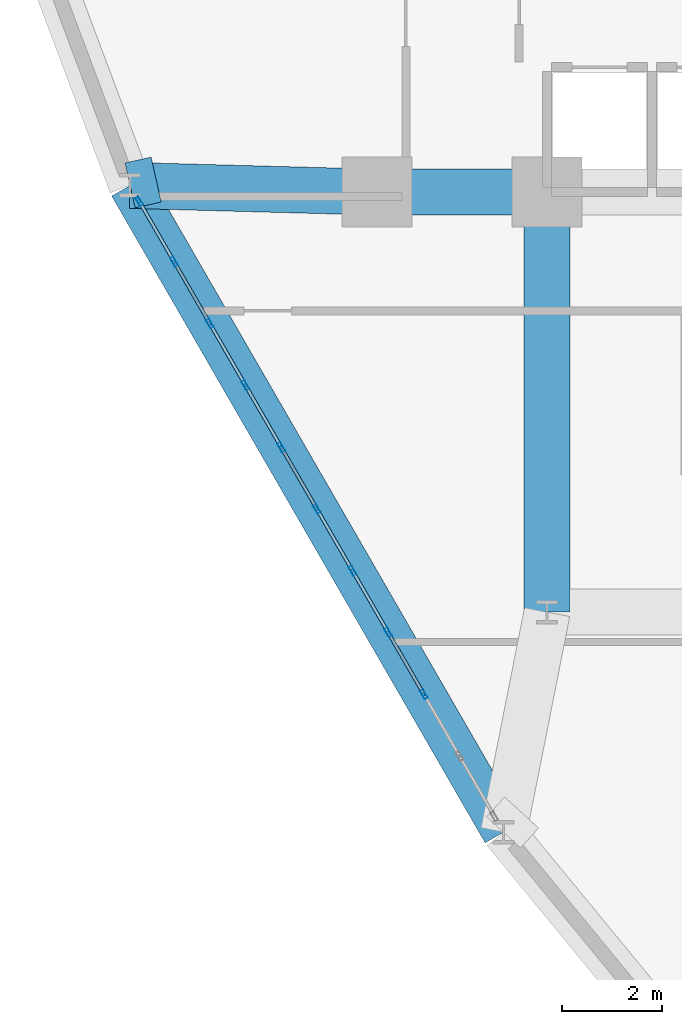
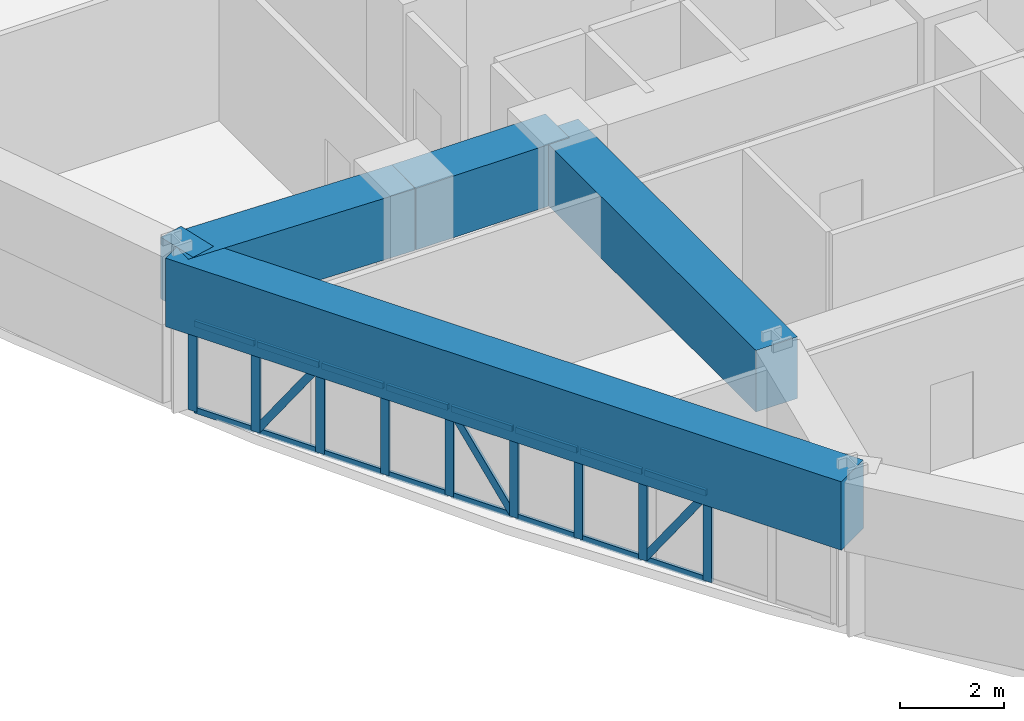
# One storey, part 4 of 17: 28 members, 5 beams, 1 element without a shape of its own.
"""IFC4 building model written with IfcOpenShell, lengths in metres."""

from ifc_helpers import new_model, si_unit, derived_unit, direction, frame, origin, origin_2d, place, context, subcontext, project, spatial, rectangle, hollow_rectangle, extrude, source, transform, mapped, material, layer, layer_set, material_profile, profile_set, type_object, element, aggregate, save


model = new_model("IFC4")

# Units and contexts
model_context = context("Model", 3, precision=1e-05, world=origin(), true_north=direction((0.0, 1.0)))
body_context = subcontext(model_context, "Body", "Model", "MODEL_VIEW")
ifc_project = project(units=[si_unit("LENGTHUNIT", "METRE"), si_unit("AREAUNIT", "SQUARE_METRE"), si_unit("VOLUMEUNIT", "CUBIC_METRE"), si_unit("PLANEANGLEUNIT", "RADIAN"), si_unit("MASSUNIT", "GRAM", prefix="KILO"), derived_unit("THERMALTRANSMITTANCEUNIT", [(si_unit("POWERUNIT", "WATT"), 1), (si_unit("LENGTHUNIT", "METRE"), -2), (si_unit("THERMODYNAMICTEMPERATUREUNIT", "KELVIN"), -1)])], contexts=[model_context])

# Site, building, storey
site_placement = place(None, origin())
site = spatial("IfcSite", under=ifc_project, at=site_placement, CompositionType="ELEMENT")
building_placement = place(site_placement, origin())
building = spatial("IfcBuilding", under=site, at=building_placement, Name="Korsvarv Bourse and Concert Hall", CompositionType="ELEMENT")
storey_placement = place(building_placement, frame((0.0, 0.0, 83.39990234375)))
storey = spatial("IfcBuildingStorey", under=building, at=storey_placement, Name="L20", CompositionType="ELEMENT", Elevation=83.39990234375)

# Beams
ifc_material_1 = material(Name="Concrete C50/60", Category="concrete")
ifc_material_profile_1 = material_profile(ifc_material_1, rectangle(XDim=0.919921875, YDim=1.43994140625, at=origin_2d()), Name="RC-BM 920x1440")
ifc_profile_set_1 = profile_set([ifc_material_profile_1], Name="Concrete C50/60")
beam_type_1 = type_object("IfcBeamType", Name="BM-TR-144", PredefinedType="BEAM", material=ifc_profile_set_1)
shared_shape_1 = source(origin(), body_context, "Body", "SweptSolid", [
    extrude(rectangle(XDim=0.919921875, YDim=1.43994140625, at=origin_2d()), origin(), (0.0, 0.0, 1.0), 3.400146484375),
])
beam_1_placement = place(storey_placement, frame((24.199951171875, 32.39990234375, 2.960205078125), z_axis=(1.0, 0.0, 0.0), x_axis=(0.0, 1.0, 0.0)))
element("IfcBeam", 1, at=beam_1_placement, inside=storey, type_object=beam_type_1, Name="L20 beam B-TR4", PredefinedType="BEAM", context=body_context, shape_type="MappedRepresentation", body=[
    mapped(shared_shape_1, transform((0.0, 0.0, 0.0), scale=1.0)),
])
shared_shape_2 = source(origin(), body_context, "Body", "SweptSolid", [
    extrude(rectangle(XDim=0.919921875, YDim=1.43994140625, at=origin_2d()), origin(), (0.0, 0.0, 1.0), 8.39990234375),
])
beam_2_placement = place(storey_placement, frame((27.60009765625, 24.0, 2.960205078125), z_axis=(0.0, 1.0, 0.0), x_axis=(-1.0, 0.0, 0.0)))
element("IfcBeam", 2, at=beam_2_placement, inside=storey, type_object=beam_type_1, Name="L20 beam B-TR4", PredefinedType="BEAM", context=body_context, shape_type="MappedRepresentation", body=[
    mapped(shared_shape_2, transform((0.0, 0.0, 0.0), scale=1.0)),
])
ifc_material_2 = material(Name="Concrete C55/67", Category="concrete")
ifc_material_profile_2 = material_profile(ifc_material_2, rectangle(XDim=0.85009765625, YDim=1.60009765625, at=origin_2d()), Name="RC-BM 850x1600")
ifc_profile_set_2 = profile_set([ifc_material_profile_2], Name="Concrete C55/67")
beam_type_2 = type_object("IfcBeamType", Name="BM-TR1B", PredefinedType="BEAM", material=ifc_profile_set_2)
shared_shape_3 = source(origin(), body_context, "Body", "SweptSolid", [
    extrude(rectangle(XDim=0.85009765625, YDim=1.60009765625, at=origin_2d()), origin(), (0.0, 0.0, 1.0), 14.937255859375),
])
beam_3_placement = place(storey_placement, frame((19.259765625, 32.5341796875, 2.880126953125), z_axis=(0.500006357572, -0.866021733208, 0.0), x_axis=(0.866021733208, 0.500006357572, 0.0)))
element("IfcBeam", 3, at=beam_3_placement, inside=storey, type_object=beam_type_2, Name="L20 beam B-TR2", PredefinedType="BEAM", context=body_context, shape_type="MappedRepresentation", body=[
    mapped(shared_shape_3, transform((0.0, 0.0, 0.0), scale=1.0)),
])
shared_shape_4 = source(origin(), body_context, "Body", "SweptSolid", [
    extrude(rectangle(XDim=0.919921875, YDim=1.43994140625, at=origin_2d()), origin(), (0.0, 0.0, 1.0), 4.94189453125),
])
beam_4_placement = place(storey_placement, frame((19.259765625, 32.5341796875, 2.960205078125), z_axis=(0.999630811292, -0.027170592845, 0.0), x_axis=(0.027170592845, 0.999630811292, 0.0)))
element("IfcBeam", 4, at=beam_4_placement, inside=storey, type_object=beam_type_1, Name="L20 beam B-TR4", PredefinedType="BEAM", context=body_context, shape_type="MappedRepresentation", body=[
    mapped(shared_shape_4, transform((0.0, 0.0, 0.0), scale=1.0)),
])
shared_shape_5 = source(origin(), body_context, "Body", "SweptSolid", [
    extrude(rectangle(XDim=0.919921875, YDim=1.43994140625, at=origin_2d()), origin(), (0.0, 0.0, 1.0), 0.5341796875),
])
beam_5_placement = place(storey_placement, frame((19.259765625, 32.5341796875, 2.960205078125), z_axis=(0.975841685914, 0.218478841155, 0.0), x_axis=(-0.218478841155, 0.975841685914, 0.0)))
element("IfcBeam", 5, at=beam_5_placement, inside=storey, type_object=beam_type_1, Name="L20 beam B-TR4", PredefinedType="BEAM", context=body_context, shape_type="MappedRepresentation", body=[
    mapped(shared_shape_5, transform((0.0, 0.0, 0.0), scale=1.0)),
])

# Curtain wall, members
ifc_material_3 = material(Name="Anodised aluminium and triple low-E glazing", Category="glass")
ifc_layer = layer(ifc_material_3, 0.219970703125)
ifc_layer_set = layer_set([ifc_layer], Name="Anodised aluminium and triple low-E glazing")
curtain_wall_type = type_object("IfcCurtainWallType", Name="CW-SYS-1", PredefinedType="NOTDEFINED", material=ifc_layer_set)
curtain_wall_placement = place(storey_placement, origin())
curtain_wall = element("IfcCurtainWall", 6, at=curtain_wall_placement, inside=storey, type_object=curtain_wall_type, Name="L20 CW1 curtain wall CW-L20-F07", PredefinedType="NOTDEFINED")
ifc_material_4 = material(Name="Extruded aluminium EN AW-6063 T66", Category="aluminium")
ifc_material_profile_3 = material_profile(ifc_material_4, hollow_rectangle(XDim=0.070068359375, YDim=0.18994140625, WallThickness=0.0048828125, at=origin_2d()), Name="ALU-M 70x190")
ifc_profile_set_3 = profile_set([ifc_material_profile_3], Name="Extruded aluminium EN AW-6063 T66")
member_type_1 = type_object("IfcMemberType", Name="CWM-190", PredefinedType="MULLION", material=ifc_profile_set_3)
shared_shape_6 = source(origin(), body_context, "Body", "SweptSolid", [
    extrude(hollow_rectangle(XDim=0.070068359375, YDim=0.18994140625, WallThickness=0.0048828125, at=origin_2d()), origin(), (0.0, 0.0, 1.0), 2.080078125),
])
member_1_placement = place(storey_placement, frame((19.44287109375, 32.216796875, 0.0), z_axis=(0.0, 0.0, 1.0), x_axis=(0.866024243871, 0.500002009023, 0.0)))
member_1 = element("IfcMember", 7, at=member_1_placement, type_object=member_type_1, Name="CW1 mullion 1", PredefinedType="MULLION", context=body_context, shape_type="MappedRepresentation", body=[
    mapped(shared_shape_6, transform((0.0, 0.0, 0.0), scale=1.0)),
])
member_2_placement = place(storey_placement, frame((20.13916015625, 31.010986328125, 0.0), z_axis=(0.0, 0.0, 1.0), x_axis=(0.866024243871, 0.500002009023, 0.0)))
member_2 = element("IfcMember", 8, at=member_2_placement, type_object=member_type_1, Name="CW1 mullion 2", PredefinedType="MULLION", context=body_context, shape_type="MappedRepresentation", body=[
    mapped(shared_shape_6, transform((0.0, 0.0, 0.0), scale=1.0)),
])
member_3_placement = place(storey_placement, frame((20.852783203125, 29.774658203125, 0.0), z_axis=(0.0, 0.0, 1.0), x_axis=(0.866024243871, 0.500002009023, 0.0)))
member_3 = element("IfcMember", 9, at=member_3_placement, type_object=member_type_1, Name="CW1 mullion 3", PredefinedType="MULLION", context=body_context, shape_type="MappedRepresentation", body=[
    mapped(shared_shape_6, transform((0.0, 0.0, 0.0), scale=1.0)),
])
member_4_placement = place(storey_placement, frame((21.566650390625, 28.53857421875, 0.0), z_axis=(0.0, 0.0, 1.0), x_axis=(0.866024243871, 0.500002009023, 0.0)))
member_4 = element("IfcMember", 10, at=member_4_placement, type_object=member_type_1, Name="CW1 mullion 4", PredefinedType="MULLION", context=body_context, shape_type="MappedRepresentation", body=[
    mapped(shared_shape_6, transform((0.0, 0.0, 0.0), scale=1.0)),
])
member_5_placement = place(storey_placement, frame((22.2802734375, 27.30224609375, 0.0), z_axis=(0.0, 0.0, 1.0), x_axis=(0.866024243871, 0.500002009023, 0.0)))
member_5 = element("IfcMember", 11, at=member_5_placement, type_object=member_type_1, Name="CW1 mullion 5", PredefinedType="MULLION", context=body_context, shape_type="MappedRepresentation", body=[
    mapped(shared_shape_6, transform((0.0, 0.0, 0.0), scale=1.0)),
])
member_6_placement = place(storey_placement, frame((22.994140625, 26.066162109375, 0.0), z_axis=(0.0, 0.0, 1.0), x_axis=(0.866024243871, 0.500002009023, 0.0)))
member_6 = element("IfcMember", 12, at=member_6_placement, type_object=member_type_1, Name="CW1 mullion 6", PredefinedType="MULLION", context=body_context, shape_type="MappedRepresentation", body=[
    mapped(shared_shape_6, transform((0.0, 0.0, 0.0), scale=1.0)),
])
member_7_placement = place(storey_placement, frame((23.707763671875, 24.829833984375, 0.0), z_axis=(0.0, 0.0, 1.0), x_axis=(0.866024243871, 0.500002009023, 0.0)))
member_7 = element("IfcMember", 13, at=member_7_placement, type_object=member_type_1, Name="CW1 mullion 7", PredefinedType="MULLION", context=body_context, shape_type="MappedRepresentation", body=[
    mapped(shared_shape_6, transform((0.0, 0.0, 0.0), scale=1.0)),
])
member_8_placement = place(storey_placement, frame((24.421630859375, 23.59375, 0.0), z_axis=(0.0, 0.0, 1.0), x_axis=(0.866024243871, 0.500002009023, 0.0)))
member_8 = element("IfcMember", 14, at=member_8_placement, type_object=member_type_1, Name="CW1 mullion 8", PredefinedType="MULLION", context=body_context, shape_type="MappedRepresentation", body=[
    mapped(shared_shape_6, transform((0.0, 0.0, 0.0), scale=1.0)),
])
member_9_placement = place(storey_placement, frame((25.13525390625, 22.357421875, 0.0), z_axis=(0.0, 0.0, 1.0), x_axis=(0.866024243871, 0.500002009023, 0.0)))
member_9 = element("IfcMember", 15, at=member_9_placement, type_object=member_type_1, Name="CW1 mullion 9", PredefinedType="MULLION", context=body_context, shape_type="MappedRepresentation", body=[
    mapped(shared_shape_6, transform((0.0, 0.0, 0.0), scale=1.0)),
])
ifc_material_profile_4 = material_profile(ifc_material_4, hollow_rectangle(XDim=0.06494140625, YDim=0.139892578125, WallThickness=0.00390625, at=origin_2d()), Name="ALU-T 65x140")
ifc_profile_set_4 = profile_set([ifc_material_profile_4], Name="Extruded aluminium EN AW-6063 T66")
member_type_2 = type_object("IfcMemberType", Name="CWT-140", PredefinedType="USERDEFINED", material=ifc_profile_set_4)
shared_shape_7 = source(origin(), body_context, "Body", "SweptSolid", [
    extrude(hollow_rectangle(XDim=0.06494140625, YDim=0.139892578125, WallThickness=0.00390625, at=origin_2d()), origin(), (0.0, 0.0, 1.0), 1.322509765625),
])
member_10_placement = place(storey_placement, frame((19.46044921875, 32.1865234375, 0.03271484375), z_axis=(0.499951520798, -0.866053391456, 0.0), x_axis=(0.866053391456, 0.499951520798, 0.0)))
member_10 = element("IfcMember", 16, at=member_10_placement, type_object=member_type_2, Name="CW1 transom 1.1", ObjectType="TRANSOM", PredefinedType="USERDEFINED", context=body_context, shape_type="MappedRepresentation", body=[
    mapped(shared_shape_7, transform((0.0, 0.0, 0.0), scale=1.0)),
])
member_11_placement = place(storey_placement, frame((19.46044921875, 32.1865234375, 2.047607421875), z_axis=(0.499951520798, -0.866053391456, 0.0), x_axis=(0.866053391456, 0.499951520798, 0.0)))
member_11 = element("IfcMember", 17, at=member_11_placement, type_object=member_type_2, Name="CW1 transom 1.2", ObjectType="TRANSOM", PredefinedType="USERDEFINED", context=body_context, shape_type="MappedRepresentation", body=[
    mapped(shared_shape_7, transform((0.0, 0.0, 0.0), scale=1.0)),
])
shared_shape_8 = source(origin(), body_context, "Body", "SweptSolid", [
    extrude(hollow_rectangle(XDim=0.06494140625, YDim=0.139892578125, WallThickness=0.00390625, at=origin_2d()), origin(), (0.0, 0.0, 1.0), 1.357421875),
])
member_12_placement = place(storey_placement, frame((20.15673828125, 30.980712890625, 0.03271484375), z_axis=(0.500007885066, -0.866020851292, 0.0), x_axis=(0.866020851292, 0.500007885066, 0.0)))
member_12 = element("IfcMember", 18, at=member_12_placement, type_object=member_type_2, Name="CW1 transom 2.1", ObjectType="TRANSOM", PredefinedType="USERDEFINED", context=body_context, shape_type="MappedRepresentation", body=[
    mapped(shared_shape_8, transform((0.0, 0.0, 0.0), scale=1.0)),
])
member_13_placement = place(storey_placement, frame((20.15673828125, 30.980712890625, 2.047607421875), z_axis=(0.500007885066, -0.866020851292, 0.0), x_axis=(0.866020851292, 0.500007885066, 0.0)))
member_13 = element("IfcMember", 19, at=member_13_placement, type_object=member_type_2, Name="CW1 transom 2.2", ObjectType="TRANSOM", PredefinedType="USERDEFINED", context=body_context, shape_type="MappedRepresentation", body=[
    mapped(shared_shape_8, transform((0.0, 0.0, 0.0), scale=1.0)),
])
member_14_placement = place(storey_placement, frame((20.870361328125, 29.744384765625, 0.03271484375), z_axis=(0.500007885066, -0.866020851292, 0.0), x_axis=(0.866020851292, 0.500007885066, 0.0)))
member_14 = element("IfcMember", 20, at=member_14_placement, type_object=member_type_2, Name="CW1 transom 3.1", ObjectType="TRANSOM", PredefinedType="USERDEFINED", context=body_context, shape_type="MappedRepresentation", body=[
    mapped(shared_shape_8, transform((0.0, 0.0, 0.0), scale=1.0)),
])
member_15_placement = place(storey_placement, frame((20.870361328125, 29.744384765625, 2.047607421875), z_axis=(0.500007885066, -0.866020851292, 0.0), x_axis=(0.866020851292, 0.500007885066, 0.0)))
member_15 = element("IfcMember", 21, at=member_15_placement, type_object=member_type_2, Name="CW1 transom 3.2", ObjectType="TRANSOM", PredefinedType="USERDEFINED", context=body_context, shape_type="MappedRepresentation", body=[
    mapped(shared_shape_8, transform((0.0, 0.0, 0.0), scale=1.0)),
])
member_16_placement = place(storey_placement, frame((21.583984375, 28.50830078125, 0.03271484375), z_axis=(0.500142759665, -0.865942965763, 0.0), x_axis=(0.865942965763, 0.500142759665, 0.0)))
member_16 = element("IfcMember", 22, at=member_16_placement, type_object=member_type_2, Name="CW1 transom 4.1", ObjectType="TRANSOM", PredefinedType="USERDEFINED", context=body_context, shape_type="MappedRepresentation", body=[
    mapped(shared_shape_8, transform((0.0, 0.0, 0.0), scale=1.0)),
])
member_17_placement = place(storey_placement, frame((21.583984375, 28.50830078125, 2.047607421875), z_axis=(0.500142759665, -0.865942965763, 0.0), x_axis=(0.865942965763, 0.500142759665, 0.0)))
member_17 = element("IfcMember", 23, at=member_17_placement, type_object=member_type_2, Name="CW1 transom 4.2", ObjectType="TRANSOM", PredefinedType="USERDEFINED", context=body_context, shape_type="MappedRepresentation", body=[
    mapped(shared_shape_8, transform((0.0, 0.0, 0.0), scale=1.0)),
])
member_18_placement = place(storey_placement, frame((22.2978515625, 27.27197265625, 0.03271484375), z_axis=(0.500007885066, -0.866020851292, 0.0), x_axis=(0.866020851292, 0.500007885066, 0.0)))
member_18 = element("IfcMember", 24, at=member_18_placement, type_object=member_type_2, Name="CW1 transom 5.1", ObjectType="TRANSOM", PredefinedType="USERDEFINED", context=body_context, shape_type="MappedRepresentation", body=[
    mapped(shared_shape_8, transform((0.0, 0.0, 0.0), scale=1.0)),
])
member_19_placement = place(storey_placement, frame((22.2978515625, 27.27197265625, 2.047607421875), z_axis=(0.500007885066, -0.866020851292, 0.0), x_axis=(0.866020851292, 0.500007885066, 0.0)))
member_19 = element("IfcMember", 25, at=member_19_placement, type_object=member_type_2, Name="CW1 transom 5.2", ObjectType="TRANSOM", PredefinedType="USERDEFINED", context=body_context, shape_type="MappedRepresentation", body=[
    mapped(shared_shape_8, transform((0.0, 0.0, 0.0), scale=1.0)),
])
member_20_placement = place(storey_placement, frame((23.011474609375, 26.035888671875, 0.03271484375), z_axis=(0.500007885066, -0.866020851292, 0.0), x_axis=(0.866020851292, 0.500007885066, 0.0)))
member_20 = element("IfcMember", 26, at=member_20_placement, type_object=member_type_2, Name="CW1 transom 6.1", ObjectType="TRANSOM", PredefinedType="USERDEFINED", context=body_context, shape_type="MappedRepresentation", body=[
    mapped(shared_shape_8, transform((0.0, 0.0, 0.0), scale=1.0)),
])
member_21_placement = place(storey_placement, frame((23.011474609375, 26.035888671875, 2.047607421875), z_axis=(0.500007885066, -0.866020851292, 0.0), x_axis=(0.866020851292, 0.500007885066, 0.0)))
member_21 = element("IfcMember", 27, at=member_21_placement, type_object=member_type_2, Name="CW1 transom 6.2", ObjectType="TRANSOM", PredefinedType="USERDEFINED", context=body_context, shape_type="MappedRepresentation", body=[
    mapped(shared_shape_8, transform((0.0, 0.0, 0.0), scale=1.0)),
])
member_22_placement = place(storey_placement, frame((23.725341796875, 24.799560546875, 0.03271484375), z_axis=(0.500007885066, -0.866020851292, 0.0), x_axis=(0.866020851292, 0.500007885066, 0.0)))
member_22 = element("IfcMember", 28, at=member_22_placement, type_object=member_type_2, Name="CW1 transom 7.1", ObjectType="TRANSOM", PredefinedType="USERDEFINED", context=body_context, shape_type="MappedRepresentation", body=[
    mapped(shared_shape_8, transform((0.0, 0.0, 0.0), scale=1.0)),
])
member_23_placement = place(storey_placement, frame((23.725341796875, 24.799560546875, 2.047607421875), z_axis=(0.500007885066, -0.866020851292, 0.0), x_axis=(0.866020851292, 0.500007885066, 0.0)))
member_23 = element("IfcMember", 29, at=member_23_placement, type_object=member_type_2, Name="CW1 transom 7.2", ObjectType="TRANSOM", PredefinedType="USERDEFINED", context=body_context, shape_type="MappedRepresentation", body=[
    mapped(shared_shape_8, transform((0.0, 0.0, 0.0), scale=1.0)),
])
member_24_placement = place(storey_placement, frame((24.43896484375, 23.5634765625, 0.03271484375), z_axis=(0.500007885066, -0.866020851292, 0.0), x_axis=(0.866020851292, 0.500007885066, 0.0)))
member_24 = element("IfcMember", 30, at=member_24_placement, type_object=member_type_2, Name="CW1 transom 8.1", ObjectType="TRANSOM", PredefinedType="USERDEFINED", context=body_context, shape_type="MappedRepresentation", body=[
    mapped(shared_shape_8, transform((0.0, 0.0, 0.0), scale=1.0)),
])
member_25_placement = place(storey_placement, frame((24.43896484375, 23.5634765625, 2.047607421875), z_axis=(0.500007885066, -0.866020851292, 0.0), x_axis=(0.866020851292, 0.500007885066, 0.0)))
member_25 = element("IfcMember", 31, at=member_25_placement, type_object=member_type_2, Name="CW1 transom 8.2", ObjectType="TRANSOM", PredefinedType="USERDEFINED", context=body_context, shape_type="MappedRepresentation", body=[
    mapped(shared_shape_8, transform((0.0, 0.0, 0.0), scale=1.0)),
])
ifc_material_profile_5 = material_profile(ifc_material_4, hollow_rectangle(XDim=0.06494140625, YDim=0.1650390625, WallThickness=0.0048828125, at=origin_2d()), Name="ALU-M 65x165")
ifc_profile_set_5 = profile_set([ifc_material_profile_5], Name="Extruded aluminium EN AW-6063 T66")
member_type_3 = type_object("IfcMemberType", Name="CWM-165", PredefinedType="MULLION", material=ifc_profile_set_5)
shared_shape_9 = source(origin(), body_context, "Body", "SweptSolid", [
    extrude(hollow_rectangle(XDim=0.06494140625, YDim=0.1650390625, WallThickness=0.0048828125, at=origin_2d()), origin(), (0.0, 0.0, 1.0), 2.3759765625),
])
member_26_placement = place(storey_placement, frame((20.15673828125, 30.980712890625, 0.065185546875), z_axis=(0.285666171261, -0.494777918929, 0.82072507549), x_axis=(0.866020851292, 0.500007885066, 0.0)))
member_26 = element("IfcMember", 32, at=member_26_placement, type_object=member_type_3, Name="CW1 diagonal mullion 2", PredefinedType="MULLION", context=body_context, shape_type="MappedRepresentation", body=[
    mapped(shared_shape_9, transform((0.0, 0.0, 0.0), scale=1.0)),
])
member_27_placement = place(storey_placement, frame((22.9765625, 26.096435546875, 0.065185546875), z_axis=(-0.285666171261, 0.494777918929, 0.82072507549), x_axis=(-0.866020851292, -0.500007885066, 0.0)))
member_27 = element("IfcMember", 33, at=member_27_placement, type_object=member_type_3, Name="CW1 diagonal mullion 5", PredefinedType="MULLION", context=body_context, shape_type="MappedRepresentation", body=[
    mapped(shared_shape_9, transform((0.0, 0.0, 0.0), scale=1.0)),
])
member_28_placement = place(storey_placement, frame((24.43896484375, 23.5634765625, 0.065185546875), z_axis=(0.285666171261, -0.494777918929, 0.82072507549), x_axis=(0.866020851292, 0.500007885066, 0.0)))
member_28 = element("IfcMember", 34, at=member_28_placement, type_object=member_type_3, Name="CW1 diagonal mullion 8", PredefinedType="MULLION", context=body_context, shape_type="MappedRepresentation", body=[
    mapped(shared_shape_9, transform((0.0, 0.0, 0.0), scale=1.0)),
])
aggregate(curtain_wall, [member_1, member_2, member_3, member_4, member_5, member_6, member_7, member_8, member_9, member_10, member_11, member_12, member_13, member_26, member_14, member_15, member_16, member_17, member_18, member_19, member_27, member_20, member_21, member_22, member_23, member_24, member_25, member_28])

save(model, "model.ifc")
